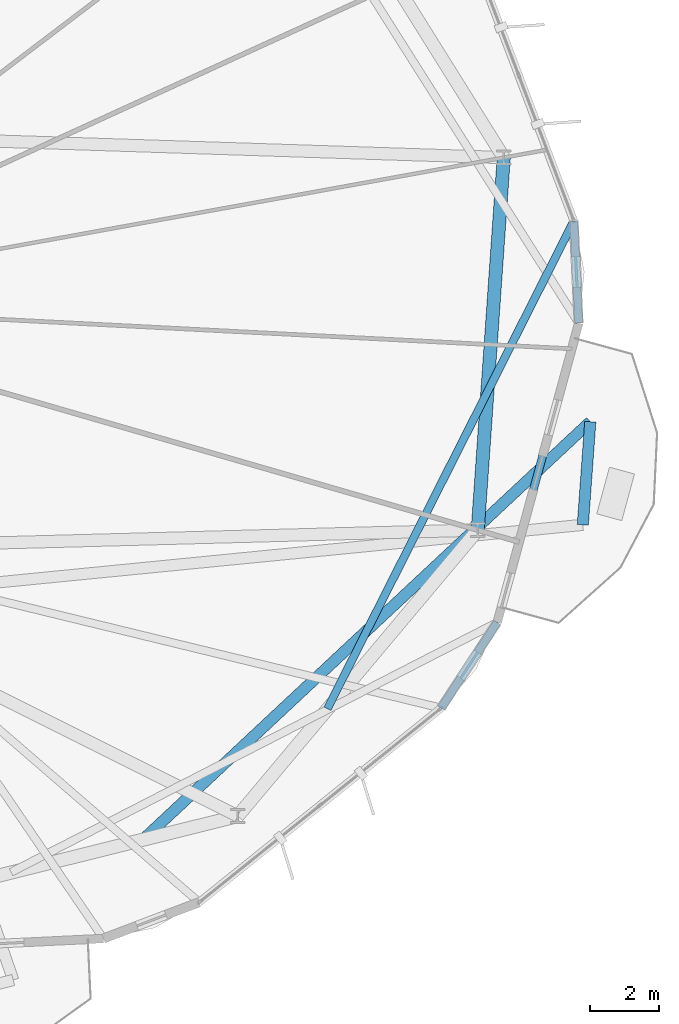
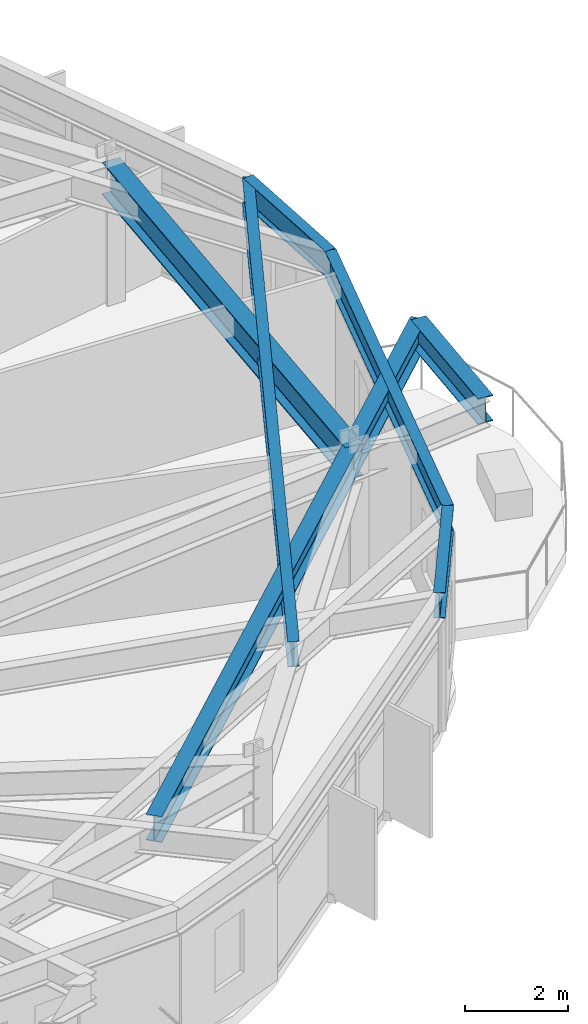
# One storey, part 11 of 23: 7 beams.
"""IFC4 building model written with IfcOpenShell, lengths in metres."""

import ifcopenshell
import ifcopenshell.guid

model = None  # the IFC model being written
_history = None  # IfcOwnerHistory: only IFC2X3 demands one
_inside = {}  # id of a spatial element -> (the spatial element, [elements in it])
_under = {}  # id of a project, library or spatial element -> (it, [spatial elements below it])
_declared = {}  # id of a project -> (the project, [libraries it declares])
_typed = {}  # id of a type object -> (the type object, [elements of that type])
_made_of = {}  # id of a material, layer set ... -> (it, [elements and type objects made of it])


def new_model(schema):
    """Start an empty IFC model of exactly this schema.

    Asked for "IFC4X3", IfcOpenShell would pick the latest addendum, in which some entities
    have other attributes; the version numbers below select the first issue.
    IFC2X3 requires an IfcOwnerHistory on every rooted entity: one is made here for all.
    """
    global model, _history
    if schema == "IFC4X3":
        model = ifcopenshell.file(schema_version=(4, 3, 0, 0))
    else:
        model = ifcopenshell.file(schema=schema)
    _inside.clear()
    _under.clear()
    _declared.clear()
    _typed.clear()
    _made_of.clear()
    _history = None
    if model.schema == "IFC2X3":
        org = make("IfcOrganization", Name="unknown")
        user = make(
            "IfcPersonAndOrganization",
            ThePerson=make("IfcPerson", FamilyName="unknown"),
            TheOrganization=org,
        )
        app = make(
            "IfcApplication",
            ApplicationDeveloper=org,
            Version="unknown",
            ApplicationFullName="unknown",
            ApplicationIdentifier="unknown",
        )
        _history = make(
            "IfcOwnerHistory",
            OwningUser=user,
            OwningApplication=app,
            ChangeAction="ADDED",
            CreationDate=0,
        )
    return model


def make(cls, **values):
    """One entity of the class cls with the attributes given. An attribute that is None is left unset."""
    return model.create_entity(
        cls, **{name: value for name, value in values.items() if value is not None}
    )


def rooted(cls, **values):
    """An entity with a GlobalId (a new one), such as an element, a storey or a relation."""
    return make(cls, GlobalId=ifcopenshell.guid.new(), OwnerHistory=_history, **values)


def si_unit(unit_type, name, prefix=None):
    """IfcSIUnit, for example si_unit("LENGTHUNIT", "METRE", prefix="MILLI")."""
    return make("IfcSIUnit", UnitType=unit_type, Prefix=prefix, Name=name)


def assignment(units):
    """IfcUnitAssignment: the units of a project."""
    return None if units is None else make("IfcUnitAssignment", Units=units)


def point(xyz):
    """IfcCartesianPoint."""
    return None if xyz is None else make("IfcCartesianPoint", Coordinates=xyz)


def direction(xyz):
    """IfcDirection."""
    return None if xyz is None else make("IfcDirection", DirectionRatios=xyz)


def frame(location, z_axis=None, x_axis=None):
    """IfcAxis2Placement3D, a coordinate frame: its origin and axes. An axis left out is left unset."""
    return make(
        "IfcAxis2Placement3D",
        Location=point(location),
        Axis=direction(z_axis),
        RefDirection=direction(x_axis),
    )


def frame_2d(location, x_axis=None):
    """IfcAxis2Placement2D, a coordinate frame in the plane: its origin and x axis."""
    return make(
        "IfcAxis2Placement2D", Location=point(location), RefDirection=direction(x_axis)
    )


def origin():
    """The frame at (0, 0, 0) with its axes left unset."""
    return frame((0.0, 0.0, 0.0))


def origin_2d():
    """The frame at (0, 0) in the plane with its x axis left unset."""
    return frame_2d((0.0, 0.0))


def place(relative_to, where):
    """IfcLocalPlacement: puts the frame where relative to a parent placement (None: the world)."""
    return make(
        "IfcLocalPlacement", PlacementRelTo=relative_to, RelativePlacement=where
    )


def context(
    kind, dimensions, precision=None, world=None, true_north=None, identifier=None
):
    """IfcGeometricRepresentationContext, for example the 3D "Model" context."""
    return make(
        "IfcGeometricRepresentationContext",
        ContextIdentifier=identifier,
        ContextType=kind,
        CoordinateSpaceDimension=dimensions,
        Precision=precision,
        WorldCoordinateSystem=world,
        TrueNorth=true_north,
    )


def subcontext(parent, identifier, kind, view, scale=None):
    """IfcGeometricRepresentationSubContext, for example "Body" below "Model"."""
    return make(
        "IfcGeometricRepresentationSubContext",
        ContextIdentifier=identifier,
        ContextType=kind,
        ParentContext=parent,
        TargetScale=scale,
        TargetView=view,
    )


def project(units=None, contexts=None):
    """IfcProject with its units and contexts."""
    return rooted(
        "IfcProject",
        Name="project",
        RepresentationContexts=contexts,
        UnitsInContext=assignment(units),
    )


def spatial(cls, under=None, at=None, **own):
    """A site, building, storey or space (cls), placed at a placement, below another one or the project."""
    s = rooted(cls, ObjectPlacement=at, **own)
    if under is not None:
        _under.setdefault(under.id(), (under, []))[1].append(s)
    return s


def profile(cls, at=None, kind="AREA", **sizes):
    """A parametric profile (cls). Its sizes go by their IFC names, for example OverallWidth=200.0."""
    return make(cls, ProfileType=kind, Position=at, **sizes)


def i_section(**sizes):
    """IfcIShapeProfileDef."""
    return profile("IfcIShapeProfileDef", **sizes)


def extrude(swept, where, along, depth):
    """IfcExtrudedAreaSolid: the profile swept, set in the frame where, extruded along a direction by depth."""
    return make(
        "IfcExtrudedAreaSolid",
        SweptArea=swept,
        Position=where,
        ExtrudedDirection=direction(along),
        Depth=depth,
    )


def shape(context_of_items, identifier, shape_type, items):
    """IfcShapeRepresentation: the items that make up one representation, for example the "Body"."""
    return make(
        "IfcShapeRepresentation",
        ContextOfItems=context_of_items,
        RepresentationIdentifier=identifier,
        RepresentationType=shape_type,
        Items=items,
    )


def material(Name=None, Category=None):
    """IfcMaterial."""
    return make("IfcMaterial", Name=Name, Category=Category)


def material_profile(
    of_material, cross_section, Name=None, Category=None, Priority=None
):
    """IfcMaterialProfile: a cross section and its material."""
    return make(
        "IfcMaterialProfile",
        Name=Name,
        Material=of_material,
        Profile=cross_section,
        Priority=Priority,
        Category=Category,
    )


def profile_set(profiles, Name=None, composite=None):
    """IfcMaterialProfileSet."""
    return make(
        "IfcMaterialProfileSet",
        Name=Name,
        MaterialProfiles=profiles,
        CompositeProfile=composite,
    )


def made_of(thing, what):
    """Note that an element or type object is made of a material, layer set ...; save() writes the relation."""
    if what is not None:
        _made_of.setdefault(what.id(), (what, []))[1].append(thing)
    return thing


def type_object(cls, material=None, **own):
    """A type object (cls), such as IfcWallType, which elements share."""
    return made_of(rooted(cls, **own), material)


def element(
    cls,
    number,
    at=None,
    inside=None,
    cuts=None,
    type_object=None,
    material=None,
    context=None,
    identifier="Body",
    shape_type=None,
    held_by="IfcProductDefinitionShape",
    body=None,
    shapes=None,
    **own,
):
    """One element of the class cls, such as IfcWall. Its Tag is "e" and its number.

    at: its placement. inside: the storey or other place that contains it. cuts: it is an
    opening in that element (IfcRelVoidsElement). A single representation is given by context,
    identifier, shape_type and body (its items); several are given by shapes. held_by: the class
    of the entity that holds the representations. save() writes the other relations.
    """
    e = rooted(cls, Tag="e%d" % number, ObjectPlacement=at, **own)
    if body is not None:
        shapes = [shape(context, identifier, shape_type, body)]
    if shapes is not None:
        e.Representation = make(held_by, Representations=shapes)
    if inside is not None:
        _inside.setdefault(inside.id(), (inside, []))[1].append(e)
    if cuts is not None:
        rooted(
            "IfcRelVoidsElement", RelatingBuildingElement=cuts, RelatedOpeningElement=e
        )
    if type_object is not None:
        _typed.setdefault(type_object.id(), (type_object, []))[1].append(e)
    return made_of(e, material)


def aggregate(whole, parts):
    """IfcRelAggregates: a whole, such as a stair, and the parts it consists of."""
    return rooted("IfcRelAggregates", RelatingObject=whole, RelatedObjects=parts)


def save(model, path):
    """Write the relations noted so far, then the file.

    IfcRelAggregates (storeys below a building ...), IfcRelContainedInSpatialStructure (elements
    in a storey), IfcRelDefinesByType, IfcRelAssociatesMaterial and IfcRelDeclares: one each for
    every whole, place, type object, material and project.
    """
    for whole, parts in _under.values():
        aggregate(whole, parts)
    for where, things in _inside.values():
        rooted(
            "IfcRelContainedInSpatialStructure",
            RelatedElements=things,
            RelatingStructure=where,
        )
    for kind, things in _typed.values():
        rooted("IfcRelDefinesByType", RelatedObjects=things, RelatingType=kind)
    for what, things in _made_of.values():
        rooted("IfcRelAssociatesMaterial", RelatedObjects=things, RelatingMaterial=what)
    for by, libraries in _declared.values():
        rooted("IfcRelDeclares", RelatingContext=by, RelatedDefinitions=libraries)
    model.write(path)


model = new_model("IFC4")

# Units and contexts
model_context = context("Model", 3, precision=1e-05, world=origin(), true_north=direction((0.0, 1.0)))
body_context = subcontext(model_context, "Body", "Model", "MODEL_VIEW")
ifc_project = project(units=[si_unit("LENGTHUNIT", "METRE"), si_unit("AREAUNIT", "SQUARE_METRE"), si_unit("VOLUMEUNIT", "CUBIC_METRE"), si_unit("PLANEANGLEUNIT", "RADIAN"), si_unit("MASSUNIT", "GRAM", prefix="KILO")], contexts=[model_context])

# Site, building, storey
site_placement = place(None, origin())
site = spatial("IfcSite", under=ifc_project, at=site_placement, CompositionType="ELEMENT")
building_placement = place(site_placement, origin())
building = spatial("IfcBuilding", under=site, at=building_placement, Name="Soratama Intermodal Tower", CompositionType="ELEMENT")
storey_placement = place(building_placement, frame((0.0, 0.0, 175.0)))
storey = spatial("IfcBuildingStorey", under=building, at=storey_placement, Name="L43", CompositionType="ELEMENT", Elevation=175.0)

# Beams
ifc_material_1 = material(Name="Structural steel ASTM A992 Grade 50", Category="steel")
ifc_material_profile_1 = material_profile(ifc_material_1, i_section(OverallWidth=0.324951171875, OverallDepth=0.615966796875, WebThickness=0.013916015625, FlangeThickness=0.021484375, FilletRadius=0.013916015625, at=origin_2d()), Name="W24X117")
ifc_profile_set_1 = profile_set([ifc_material_profile_1], Name="Structural steel ASTM A992 Grade 50")
beam_type_1 = type_object("IfcBeamType", Name="BM-CANT-W24X117", PredefinedType="BEAM", material=ifc_profile_set_1)
beam_1_placement = place(storey_placement, frame((64.27001953125, 18.595947265625, 2.991943359375), z_axis=(0.072492925822, 0.997368926579, 0.0), x_axis=(-0.997368926579, 0.072492925822, 0.0)))
element("IfcBeam", 1, at=beam_1_placement, inside=storey, type_object=beam_type_1, Name="BM-L43-CBHDR-1", PredefinedType="BEAM", context=body_context, shape_type="SweptSolid", body=[
    extrude(i_section(OverallWidth=0.324951171875, OverallDepth=0.615966796875, WebThickness=0.013916015625, FlangeThickness=0.021484375, FilletRadius=0.013916015625, at=origin_2d()), origin(), (0.0, 0.0, 1.0), 2.993896484375),
])
beam_2_placement = place(storey_placement, frame((51.555908203125, 9.501953125, 2.991943359375), z_axis=(0.73074505018, 0.682650475454, 0.0), x_axis=(-0.682650475454, 0.73074505018, 0.0)))
element("IfcBeam", 2, at=beam_2_placement, inside=storey, type_object=beam_type_1, Name="BM-L43-CANT-1-2", PredefinedType="BEAM", context=body_context, shape_type="SweptSolid", body=[
    extrude(i_section(OverallWidth=0.324951171875, OverallDepth=0.615966796875, WebThickness=0.013916015625, FlangeThickness=0.021484375, FilletRadius=0.013916015625, at=origin_2d()), origin(), (0.0, 0.0, 1.0), 17.69580078125),
])
ifc_material_2 = material(Name="Structural steel ASTM A992 Grade 50", Category="steel")
ifc_material_profile_2 = material_profile(ifc_material_2, i_section(OverallWidth=0.382080078125, OverallDepth=0.779052734375, WebThickness=0.01806640625, FlangeThickness=0.030029296875, FilletRadius=0.01806640625, at=origin_2d()), Name="W30X191")
ifc_profile_set_2 = profile_set([ifc_material_profile_2], Name="Structural steel ASTM A992 Grade 50")
beam_type_2 = type_object("IfcBeamType", Name="BM-RING-W30X191", PredefinedType="BEAM", material=ifc_profile_set_2)
beam_3_placement = place(storey_placement, frame((61.22607421875, 18.444091796875, 2.910400390625), z_axis=(0.069702217409, 0.99756784275, 0.0), x_axis=(-0.99756784275, 0.069702217409, 0.0)))
element("IfcBeam", 3, at=beam_3_placement, inside=storey, type_object=beam_type_2, Name="BM-L43-RING-10", PredefinedType="BEAM", context=body_context, shape_type="SweptSolid", body=[
    extrude(i_section(OverallWidth=0.382080078125, OverallDepth=0.779052734375, WebThickness=0.01806640625, FlangeThickness=0.030029296875, FilletRadius=0.01806640625, at=origin_2d()), origin(), (0.0, 0.0, 1.0), 10.816162109375),
])
ifc_material_3 = material(Name="Structural steel ASTM A992 Grade 50", Category="steel")
ifc_material_profile_3 = material_profile(ifc_material_3, i_section(OverallWidth=0.22900390625, OverallDepth=0.612060546875, WebThickness=0.011962890625, FlangeThickness=0.01953125, FilletRadius=0.012939453125, at=origin_2d()), Name="W24X84")
ifc_profile_set_3 = profile_set([ifc_material_profile_3], Name="Structural steel ASTM A992 Grade 50")
beam_type_3 = type_object("IfcBeamType", Name="BM-SPN-W24X84", PredefinedType="SPANDREL", material=ifc_profile_set_3)
beam_4_placement = place(storey_placement, frame((60.166015625, 13.287109375, 2.993896484375), z_axis=(0.547998464568, 0.836479337958, 0.0), x_axis=(-0.836479337958, 0.547998464568, 0.0)))
element("IfcBeam", 4, at=beam_4_placement, inside=storey, type_object=beam_type_3, Name="BS-L43-CRN08", PredefinedType="SPANDREL", context=body_context, shape_type="SweptSolid", body=[
    extrude(i_section(OverallWidth=0.22900390625, OverallDepth=0.612060546875, WebThickness=0.011962890625, FlangeThickness=0.01953125, FilletRadius=0.012939453125, at=origin_2d()), origin(), (0.0, 0.0, 1.0), 2.967041015625),
])
beam_5_placement = place(storey_placement, frame((61.7919921875, 15.76904296875, 2.993896484375), z_axis=(0.262889780126, 0.964825872116, 0.0), x_axis=(-0.964825872116, 0.262889780126, 0.0)))
element("IfcBeam", 5, at=beam_5_placement, inside=storey, type_object=beam_type_3, Name="BS-L43-F09", PredefinedType="SPANDREL", context=body_context, shape_type="SweptSolid", body=[
    extrude(i_section(OverallWidth=0.22900390625, OverallDepth=0.612060546875, WebThickness=0.011962890625, FlangeThickness=0.01953125, FilletRadius=0.012939453125, at=origin_2d()), origin(), (0.0, 0.0, 1.0), 8.98486328125),
])
beam_6_placement = place(storey_placement, frame((64.154052734375, 24.43798828125, 2.993896484375), z_axis=(-0.048229898576, 0.998836261298, 0.0), x_axis=(-0.998836261298, -0.048229898576, 0.0)))
element("IfcBeam", 6, at=beam_6_placement, inside=storey, type_object=beam_type_3, Name="BS-L43-CRN09", PredefinedType="SPANDREL", context=body_context, shape_type="SweptSolid", body=[
    extrude(i_section(OverallWidth=0.22900390625, OverallDepth=0.612060546875, WebThickness=0.011962890625, FlangeThickness=0.01953125, FilletRadius=0.012939453125, at=origin_2d()), origin(), (0.0, 0.0, 1.0), 2.96630859375),
])
ifc_material_4 = material(Name="Structural steel ASTM A992 Grade 50", Category="steel")
ifc_material_profile_4 = material_profile(ifc_material_4, i_section(OverallWidth=0.22900390625, OverallDepth=0.612060546875, WebThickness=0.011962890625, FlangeThickness=0.01953125, FilletRadius=0.012939453125, at=origin_2d()), Name="W24X84")
ifc_profile_set_4 = profile_set([ifc_material_profile_4], Name="Structural steel ASTM A992 Grade 50")
beam_type_4 = type_object("IfcBeamType", Name="BM-TIE-W24X84", PredefinedType="BEAM", material=ifc_profile_set_4)
beam_7_placement = place(storey_placement, frame((56.873046875, 13.27099609375, 2.993896484375), z_axis=(0.450898781337, 0.892575088712, 0.0), x_axis=(-0.892575088712, 0.450898781337, 0.0)))
element("IfcBeam", 7, at=beam_7_placement, inside=storey, type_object=beam_type_4, Name="BM-L43-TIE0-10", PredefinedType="BEAM", context=body_context, shape_type="SweptSolid", body=[
    extrude(i_section(OverallWidth=0.22900390625, OverallDepth=0.612060546875, WebThickness=0.011962890625, FlangeThickness=0.01953125, FilletRadius=0.012939453125, at=origin_2d()), origin(), (0.0, 0.0, 1.0), 15.83056640625),
])

save(model, "model.ifc")
